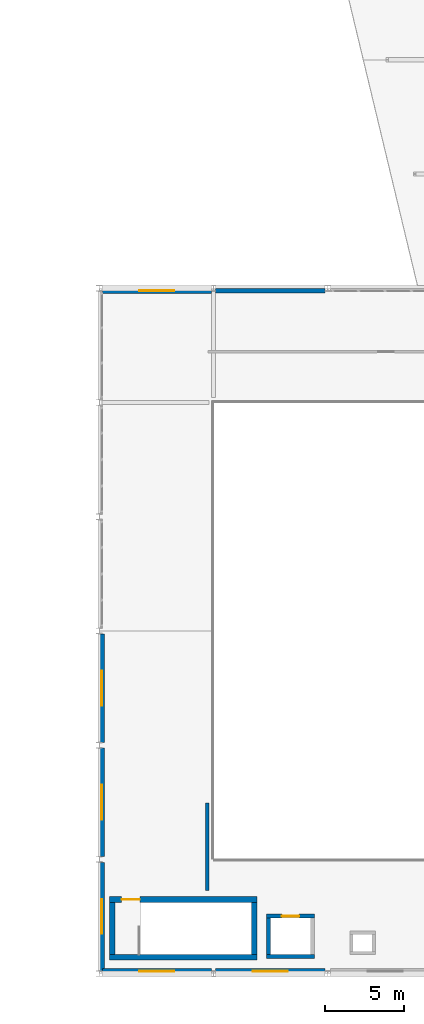
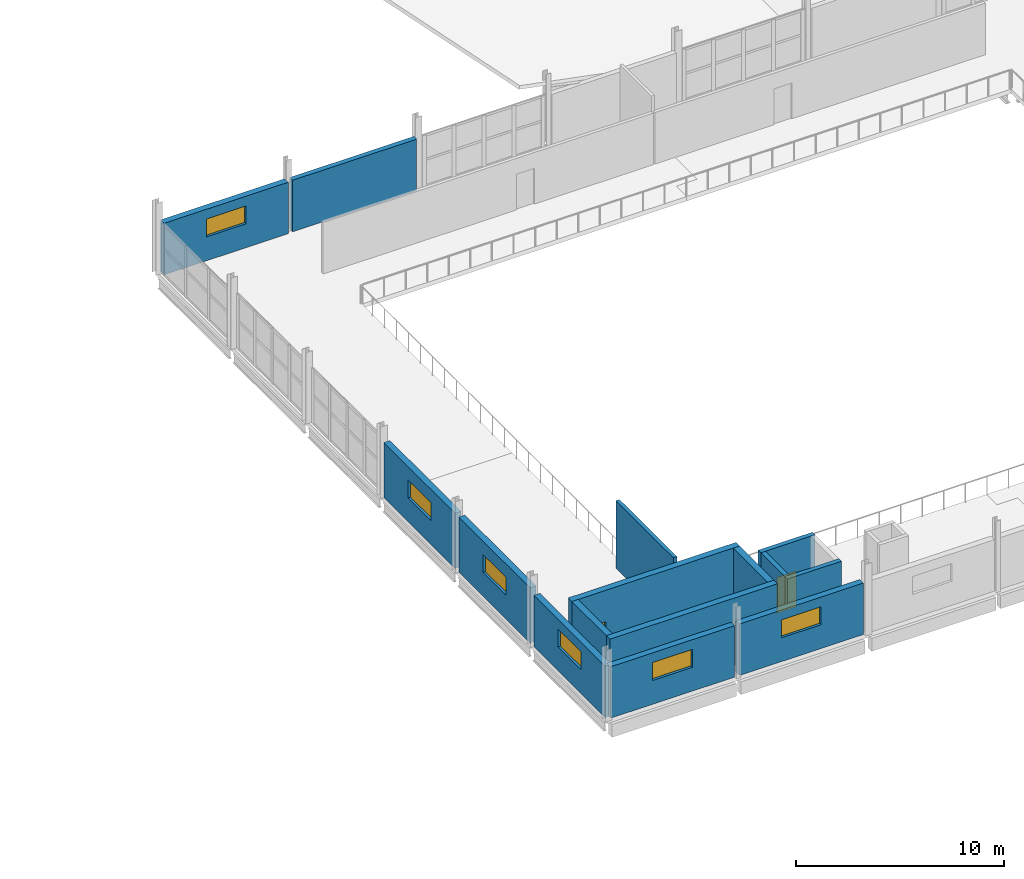
# One storey, part 70 of 94: 15 walls, 6 windows, 2 doors, 8 openings.
"""IFC4 building model written with IfcOpenShell, lengths in metres."""

from ifc_helpers import new_model, si_unit, direction, frame, frame_2d, origin, place, context, subcontext, project, spatial, rectangle, extrude, material, layer, layer_set, type_object, element, fill, save


model = new_model("IFC4")

# Units and contexts
model_context = context("Model", 3, precision=1e-05, world=origin(), true_north=direction((0.0, 1.0)))
body_context = subcontext(model_context, "Body", "Model", "MODEL_VIEW")
ifc_project = project(units=[si_unit("LENGTHUNIT", "METRE"), si_unit("AREAUNIT", "SQUARE_METRE"), si_unit("VOLUMEUNIT", "CUBIC_METRE"), si_unit("PLANEANGLEUNIT", "RADIAN"), si_unit("MASSUNIT", "GRAM", prefix="KILO")], contexts=[model_context])

# Site, building, storey
site_placement = place(None, origin())
site = spatial("IfcSite", under=ifc_project, at=site_placement, CompositionType="ELEMENT")
building_placement = place(site_placement, origin())
building = spatial("IfcBuilding", under=site, at=building_placement, Name="Kalmorath City Hall", CompositionType="ELEMENT")
storey_placement = place(building_placement, frame((0.0, 0.0, 14.699951171875)))
storey = spatial("IfcBuildingStorey", under=building, at=storey_placement, Name="L03", CompositionType="ELEMENT", Elevation=14.699951171875)

# Wall, opening, window
ifc_material_1 = material(Name="Precast concrete C40/50", Category="concrete")
ifc_layer_1 = layer(ifc_material_1, 0.340087890625)
ifc_layer_set_1 = layer_set([ifc_layer_1], Name="Precast concrete C40/50")
wall_type_1 = type_object("IfcWallType", Name="Chamber acoustic precast wall 340", PredefinedType="SOLIDWALL", material=ifc_layer_set_1)
wall_1_placement = place(storey_placement, frame((129.41455078125, 0.159912109375, 0.0), z_axis=(0.0, 0.0, 1.0), x_axis=(-1.0, 0.0, 0.0)))
wall_1 = element("IfcWall", 1, at=wall_1_placement, inside=storey, type_object=wall_type_1, Name="L03 chamber acoustic wall #705", PredefinedType="SOLIDWALL", context=body_context, shape_type="SweptSolid", body=[
    extrude(rectangle(XDim=6.885498046875, YDim=0.340087890625, at=frame_2d((3.44287109375, 0.0))), origin(), (0.0, 0.0, 1.0), 3.02197265625),
])
opening_1_placement = place(wall_1_placement, frame((2.3427734375, 0.0, 1.39990234375)))
opening_1 = element("IfcOpeningElement", 2, at=opening_1_placement, cuts=wall_1, Name="Opening WN12", PredefinedType="OPENING", context=body_context, shape_type="SweptSolid", body=[
    extrude(rectangle(XDim=2.199951171875, YDim=1.050048828125, at=frame_2d((1.10009765625, 0.52490234375))), frame((0.0, 0.179931640625, 0.0), z_axis=(0.0, -1.0, 0.0), x_axis=(1.0, 0.0, 0.0)), (0.0, 0.0, 1.0), 0.360107421875),
])
ifc_material_2 = material(Name="Acoustic laminated glass", Category="glass")
window_type = type_object("IfcWindowType", Name="Chamber clerestory acoustic window 2200x1050", PartitioningType="SINGLE_PANEL", PredefinedType="WINDOW", material=ifc_material_2)
window_1_placement = place(opening_1_placement, origin())
window_1 = element("IfcWindow", 3, at=window_1_placement, inside=storey, type_object=window_type, Name="L03 window WN12-372", OverallHeight=1.050048828125, OverallWidth=2.199951171875, PartitioningType="SINGLE_PANEL", PredefinedType="WINDOW", context=body_context, shape_type="SweptSolid", body=[
    extrude(rectangle(XDim=2.199951171875, YDim=1.050048828125, at=frame_2d((1.10009765625, 0.52490234375))), frame((0.0, 0.030029296875, 0.0), z_axis=(0.0, -1.0, 0.0), x_axis=(1.0, 0.0, 0.0)), (0.0, 0.0, 1.0), 0.06005859375),
])
fill(opening_1, window_1)

wall_2_placement = place(storey_placement, frame((122.27099609375, 0.159912109375, 0.0), z_axis=(0.0, 0.0, 1.0), x_axis=(-1.0, 0.0, 0.0)))
wall_2 = element("IfcWall", 4, at=wall_2_placement, inside=storey, type_object=wall_type_1, Name="L03 chamber acoustic wall #706", PredefinedType="SOLIDWALL", context=body_context, shape_type="SweptSolid", body=[
    extrude(rectangle(XDim=6.885498046875, YDim=0.340087890625, at=frame_2d((3.44287109375, 0.0))), origin(), (0.0, 0.0, 1.0), 3.01806640625),
])
opening_2_placement = place(wall_2_placement, frame((2.3427734375, 0.0, 1.39990234375)))
opening_2 = element("IfcOpeningElement", 5, at=opening_2_placement, cuts=wall_2, Name="Opening WN12", PredefinedType="OPENING", context=body_context, shape_type="SweptSolid", body=[
    extrude(rectangle(XDim=2.199951171875, YDim=1.050048828125, at=frame_2d((1.10009765625, 0.52490234375))), frame((0.0, 0.179931640625, 0.0), z_axis=(0.0, -1.0, 0.0), x_axis=(1.0, 0.0, 0.0)), (0.0, 0.0, 1.0), 0.360107421875),
])
window_2_placement = place(opening_2_placement, origin())
window_2 = element("IfcWindow", 6, at=window_2_placement, inside=storey, type_object=window_type, Name="L03 window WN12-373", OverallHeight=1.050048828125, OverallWidth=2.199951171875, PartitioningType="SINGLE_PANEL", PredefinedType="WINDOW", context=body_context, shape_type="SweptSolid", body=[
    extrude(rectangle(XDim=2.199951171875, YDim=1.050048828125, at=frame_2d((1.10009765625, 0.52490234375))), frame((0.0, 0.030029296875, 0.0), z_axis=(0.0, -1.0, 0.0), x_axis=(1.0, 0.0, 0.0)), (0.0, 0.0, 1.0), 0.06005859375),
])
fill(opening_2, window_2)

wall_3_placement = place(storey_placement, frame((115.360107421875, 0.178955078125, 0.0), z_axis=(0.0, 0.0, 1.0), x_axis=(0.0, 1.0, 0.0)))
wall_3 = element("IfcWall", 7, at=wall_3_placement, inside=storey, type_object=wall_type_1, Name="L03 chamber acoustic wall #707", PredefinedType="SOLIDWALL", context=body_context, shape_type="SweptSolid", body=[
    extrude(rectangle(XDim=6.842041015625, YDim=0.340087890625, at=frame_2d((3.4208984375, 0.0))), origin(), (0.0, 0.0, 1.0), 3.01806640625),
])
opening_3_placement = place(wall_3_placement, frame((2.321044921875, 0.0, 1.39990234375)))
opening_3 = element("IfcOpeningElement", 8, at=opening_3_placement, cuts=wall_3, Name="Opening WN12", PredefinedType="OPENING", context=body_context, shape_type="SweptSolid", body=[
    extrude(rectangle(XDim=2.199951171875, YDim=1.050048828125, at=frame_2d((1.10009765625, 0.52490234375))), frame((0.0, 0.179931640625, 0.0), z_axis=(0.0, -1.0, 0.0), x_axis=(1.0, 0.0, 0.0)), (0.0, 0.0, 1.0), 0.360107421875),
])
window_3_placement = place(opening_3_placement, origin())
window_3 = element("IfcWindow", 9, at=window_3_placement, inside=storey, type_object=window_type, Name="L03 window WN12-374", OverallHeight=1.050048828125, OverallWidth=2.199951171875, PartitioningType="SINGLE_PANEL", PredefinedType="WINDOW", context=body_context, shape_type="SweptSolid", body=[
    extrude(rectangle(XDim=2.199951171875, YDim=1.050048828125, at=frame_2d((1.10009765625, 0.52490234375))), frame((0.0, 0.030029296875, 0.0), z_axis=(0.0, -1.0, 0.0), x_axis=(1.0, 0.0, 0.0)), (0.0, 0.0, 1.0), 0.06005859375),
])
fill(opening_3, window_3)

wall_4_placement = place(storey_placement, frame((115.360107421875, 7.37890625, 0.0), z_axis=(0.0, 0.0, 1.0), x_axis=(0.0, 1.0, 0.0)))
wall_4 = element("IfcWall", 10, at=wall_4_placement, inside=storey, type_object=wall_type_1, Name="L03 chamber acoustic wall #708", PredefinedType="SOLIDWALL", context=body_context, shape_type="SweptSolid", body=[
    extrude(rectangle(XDim=6.842041015625, YDim=0.340087890625, at=frame_2d((3.4208984375, 0.0))), origin(), (0.0, 0.0, 1.0), 3.235107421875),
])
opening_4_placement = place(wall_4_placement, frame((2.321044921875, 0.0, 1.39990234375)))
opening_4 = element("IfcOpeningElement", 11, at=opening_4_placement, cuts=wall_4, Name="Opening WN12", PredefinedType="OPENING", context=body_context, shape_type="SweptSolid", body=[
    extrude(rectangle(XDim=2.199951171875, YDim=1.050048828125, at=frame_2d((1.10009765625, 0.52490234375))), frame((0.0, 0.179931640625, 0.0), z_axis=(0.0, -1.0, 0.0), x_axis=(1.0, 0.0, 0.0)), (0.0, 0.0, 1.0), 0.360107421875),
])
window_4_placement = place(opening_4_placement, origin())
window_4 = element("IfcWindow", 12, at=window_4_placement, inside=storey, type_object=window_type, Name="L03 window WN12-375", OverallHeight=1.050048828125, OverallWidth=2.199951171875, PartitioningType="SINGLE_PANEL", PredefinedType="WINDOW", context=body_context, shape_type="SweptSolid", body=[
    extrude(rectangle(XDim=2.199951171875, YDim=1.050048828125, at=frame_2d((1.10009765625, 0.52490234375))), frame((0.0, 0.030029296875, 0.0), z_axis=(0.0, -1.0, 0.0), x_axis=(1.0, 0.0, 0.0)), (0.0, 0.0, 1.0), 0.06005859375),
])
fill(opening_4, window_4)

wall_5_placement = place(storey_placement, frame((115.360107421875, 14.5791015625, 0.0), z_axis=(0.0, 0.0, 1.0), x_axis=(0.0, 1.0, 0.0)))
wall_5 = element("IfcWall", 13, at=wall_5_placement, inside=storey, type_object=wall_type_1, Name="L03 chamber acoustic wall #709", PredefinedType="SOLIDWALL", context=body_context, shape_type="SweptSolid", body=[
    extrude(rectangle(XDim=6.841796875, YDim=0.340087890625, at=frame_2d((3.4208984375, 0.0))), origin(), (0.0, 0.0, 1.0), 3.235107421875),
])
opening_5_placement = place(wall_5_placement, frame((2.321044921875, 0.0, 1.39990234375)))
opening_5 = element("IfcOpeningElement", 14, at=opening_5_placement, cuts=wall_5, Name="Opening WN12", PredefinedType="OPENING", context=body_context, shape_type="SweptSolid", body=[
    extrude(rectangle(XDim=2.199951171875, YDim=1.050048828125, at=frame_2d((1.10009765625, 0.52490234375))), frame((0.0, 0.179931640625, 0.0), z_axis=(0.0, -1.0, 0.0), x_axis=(1.0, 0.0, 0.0)), (0.0, 0.0, 1.0), 0.360107421875),
])
window_5_placement = place(opening_5_placement, origin())
window_5 = element("IfcWindow", 15, at=window_5_placement, inside=storey, type_object=window_type, Name="L03 window WN12-376", OverallHeight=1.050048828125, OverallWidth=2.199951171875, PartitioningType="SINGLE_PANEL", PredefinedType="WINDOW", context=body_context, shape_type="SweptSolid", body=[
    extrude(rectangle(XDim=2.199951171875, YDim=1.050048828125, at=frame_2d((1.10009765625, 0.52490234375))), frame((0.0, 0.030029296875, 0.0), z_axis=(0.0, -1.0, 0.0), x_axis=(1.0, 0.0, 0.0)), (0.0, 0.0, 1.0), 0.06005859375),
])
fill(opening_5, window_5)

wall_6_placement = place(storey_placement, frame((115.385498046875, 43.0400390625, 0.0), z_axis=(0.0, 0.0, 1.0), x_axis=(1.0, 0.0, 0.0)))
wall_6 = element("IfcWall", 16, at=wall_6_placement, inside=storey, type_object=wall_type_1, Name="L03 chamber acoustic wall #710", PredefinedType="SOLIDWALL", context=body_context, shape_type="SweptSolid", body=[
    extrude(rectangle(XDim=6.885498046875, YDim=0.340087890625, at=frame_2d((3.44287109375, 0.0))), origin(), (0.0, 0.0, 1.0), 3.01806640625),
])
opening_6_placement = place(wall_6_placement, frame((2.3427734375, 0.0, 1.39990234375)))
opening_6 = element("IfcOpeningElement", 17, at=opening_6_placement, cuts=wall_6, Name="Opening WN12", PredefinedType="OPENING", context=body_context, shape_type="SweptSolid", body=[
    extrude(rectangle(XDim=2.199951171875, YDim=1.050048828125, at=frame_2d((1.10009765625, 0.52490234375))), frame((0.0, 0.179931640625, 0.0), z_axis=(0.0, -1.0, 0.0), x_axis=(1.0, 0.0, 0.0)), (0.0, 0.0, 1.0), 0.360107421875),
])
window_6_placement = place(opening_6_placement, origin())
window_6 = element("IfcWindow", 18, at=window_6_placement, inside=storey, type_object=window_type, Name="L03 window WN12-377", OverallHeight=1.050048828125, OverallWidth=2.199951171875, PartitioningType="SINGLE_PANEL", PredefinedType="WINDOW", context=body_context, shape_type="SweptSolid", body=[
    extrude(rectangle(XDim=2.199951171875, YDim=1.050048828125, at=frame_2d((1.10009765625, 0.52490234375))), frame((0.0, 0.030029296875, 0.0), z_axis=(0.0, -1.0, 0.0), x_axis=(1.0, 0.0, 0.0)), (0.0, 0.0, 1.0), 0.06005859375),
])
fill(opening_6, window_6)

# Wall
ifc_material_3 = material(Name="Concrete C50/60", Category="concrete")
ifc_layer_2 = layer(ifc_material_3, 0.35009765625)
ifc_layer_set_2 = layer_set([ifc_layer_2], Name="Concrete C50/60")
wall_type_2 = type_object("IfcWallType", Name="Concrete core shear wall 350", PredefinedType="SHEAR", material=ifc_layer_set_2)
wall_7_placement = place(storey_placement, frame((115.85009765625, 1.02490234375, 0.0), z_axis=(0.0, 0.0, 1.0), x_axis=(1.0, 0.0, 0.0)))
element("IfcWall", 19, at=wall_7_placement, inside=storey, type_object=wall_type_2, Name="L03 C5 stair core shear wall S", PredefinedType="SHEAR", context=body_context, shape_type="SweptSolid", body=[
    extrude(rectangle(XDim=9.2998046875, YDim=0.35009765625, at=frame_2d((4.64990234375, 0.0))), origin(), (0.0, 0.0, 1.0), 3.949951171875),
])

# Wall, opening, door
wall_8_placement = place(storey_placement, frame((125.14990234375, 4.675048828125, 0.0), z_axis=(0.0, 0.0, 1.0), x_axis=(-1.0, 0.0, 0.0)))
wall_8 = element("IfcWall", 20, at=wall_8_placement, inside=storey, type_object=wall_type_2, Name="L03 C5 stair core shear wall N", PredefinedType="SHEAR", context=body_context, shape_type="SweptSolid", body=[
    extrude(rectangle(XDim=9.2998046875, YDim=0.35009765625, at=frame_2d((4.64990234375, 0.0))), origin(), (0.0, 0.0, 1.0), 3.949951171875),
])
opening_7_placement = place(wall_8_placement, frame((7.39990234375, 0.0, 0.0)))
opening_7 = element("IfcOpeningElement", 21, at=opening_7_placement, cuts=wall_8, Name="Opening D-L03-093", PredefinedType="OPENING", context=body_context, shape_type="SweptSolid", body=[
    extrude(rectangle(XDim=1.14990234375, YDim=2.10009765625, at=frame_2d((0.574951171875, 1.050048828125))), frame((0.0, 0.18505859375, 0.0), z_axis=(0.0, -1.0, 0.0), x_axis=(1.0, 0.0, 0.0)), (0.0, 0.0, 1.0), 0.3701171875),
])
ifc_material_4 = material(Name="Galvanised steel fire door", Category="steel")
door_type_1 = type_object("IfcDoorType", Name="Stair enclosure 90-min fire door 1150x2100", OperationType="NOTDEFINED", PredefinedType="DOOR", material=ifc_material_4)
door_1_placement = place(opening_7_placement, frame((1.14990234375, 0.0, 0.0), z_axis=(0.0, 0.0, 1.0), x_axis=(-1.0, 0.0, 0.0)))
door_1 = element("IfcDoor", 22, at=door_1_placement, inside=storey, type_object=door_type_1, Name="L03 door D-L03-093", OperationType="SINGLE_SWING_LEFT", OverallHeight=2.10009765625, OverallWidth=1.14990234375, PredefinedType="DOOR", context=body_context, shape_type="SweptSolid", body=[
    extrude(rectangle(XDim=1.14990234375, YDim=2.10009765625, at=frame_2d((0.574951171875, 1.050048828125))), frame((0.0, 0.02490234375, 0.0), z_axis=(0.0, -1.0, 0.0), x_axis=(1.0, 0.0, 0.0)), (0.0, 0.0, 1.0), 0.050048828125),
])
fill(opening_7, door_1)

# Walls
for number, where, z_axis, x_axis, name in (
    (23, (116.02490234375, 4.5, 0.0), (0.0, 0.0, 1.0), (0.0, -1.0, 0.0), "L03 C5 stair core shear wall W"),
    (24, (124.97509765625, 1.199951171875, 0.0), (0.0, 0.0, 1.0), (0.0, 1.0, 0.0), "L03 C5 stair core shear wall E"),
):
    element("IfcWall", number, at=place(storey_placement, frame(where, z_axis=z_axis, x_axis=x_axis)), inside=storey, type_object=wall_type_2, Name=name, PredefinedType="SHEAR", context=body_context, shape_type="SweptSolid", body=[
        extrude(rectangle(XDim=3.300048828125, YDim=0.35009765625, at=frame_2d((1.64990234375, 0.0))), origin(), (0.0, 0.0, 1.0), 3.949951171875),
    ])
ifc_material_5 = material(Name="Concrete C50/60", Category="concrete")
ifc_layer_3 = layer(ifc_material_5, 0.25)
ifc_layer_set_3 = layer_set([ifc_layer_3], Name="Concrete C50/60")
wall_type_3 = type_object("IfcWallType", Name="Concrete lift shaft wall 250", PredefinedType="SHEAR", material=ifc_layer_set_3)
wall_9_placement = place(storey_placement, frame((125.75, 1.074951171875, 0.0), z_axis=(0.0, 0.0, 1.0), x_axis=(1.0, 0.0, 0.0)))
element("IfcWall", 25, at=wall_9_placement, inside=storey, type_object=wall_type_3, Name="L03 PL5 lift shaft wall -y", PredefinedType="SHEAR", context=body_context, shape_type="SweptSolid", body=[
    extrude(rectangle(XDim=3.0, YDim=0.25, at=frame_2d((1.5, 0.0))), origin(), (0.0, 0.0, 1.0), 3.949951171875),
])

# Wall, opening, door
wall_10_placement = place(storey_placement, frame((128.75, 3.625, 0.0), z_axis=(0.0, 0.0, 1.0), x_axis=(-1.0, 0.0, 0.0)))
wall_10 = element("IfcWall", 26, at=wall_10_placement, inside=storey, type_object=wall_type_3, Name="L03 PL5 lift shaft wall +y", PredefinedType="SHEAR", context=body_context, shape_type="SweptSolid", body=[
    extrude(rectangle(XDim=3.0, YDim=0.25, at=frame_2d((1.5, 0.0))), origin(), (0.0, 0.0, 1.0), 3.949951171875),
])
opening_8_placement = place(wall_10_placement, frame((0.949951171875, 0.0, 0.0)))
opening_8 = element("IfcOpeningElement", 27, at=opening_8_placement, cuts=wall_10, Name="Opening LD-097", PredefinedType="OPENING", context=body_context, shape_type="SweptSolid", body=[
    extrude(rectangle(XDim=1.10009765625, YDim=2.10009765625, at=frame_2d((0.550048828125, 1.050048828125))), frame((0.0, 0.135009765625, 0.0), z_axis=(0.0, -1.0, 0.0), x_axis=(1.0, 0.0, 0.0)), (0.0, 0.0, 1.0), 0.27001953125),
])
ifc_material_6 = material(Name="Stainless steel sliding landing door", Category="steel")
door_type_2 = type_object("IfcDoorType", Name="Passenger lift sliding landing door 1100x2100", OperationType="SLIDING_TO_LEFT", PredefinedType="DOOR", material=ifc_material_6)
door_2_placement = place(opening_8_placement, origin())
door_2 = element("IfcDoor", 28, at=door_2_placement, inside=storey, type_object=door_type_2, Name="L03 door LD-097", OperationType="SLIDING_TO_LEFT", OverallHeight=2.10009765625, OverallWidth=1.10009765625, PredefinedType="DOOR", context=body_context, shape_type="SweptSolid", body=[
    extrude(rectangle(XDim=1.10009765625, YDim=2.10009765625, at=frame_2d((0.550048828125, 1.050048828125))), frame((0.0, 0.02490234375, 0.0), z_axis=(0.0, -1.0, 0.0), x_axis=(1.0, 0.0, 0.0)), (0.0, 0.0, 1.0), 0.050048828125),
])
fill(opening_8, door_2)

# Walls
wall_11_placement = place(storey_placement, frame((125.875, 3.5, 0.0), z_axis=(0.0, 0.0, 1.0), x_axis=(0.0, -1.0, 0.0)))
element("IfcWall", 29, at=wall_11_placement, inside=storey, type_object=wall_type_3, Name="L03 PL5 lift shaft wall -x", PredefinedType="SHEAR", context=body_context, shape_type="SweptSolid", body=[
    extrude(rectangle(XDim=2.300048828125, YDim=0.25, at=frame_2d((1.14990234375, 0.0))), origin(), (0.0, 0.0, 1.0), 3.949951171875),
])
ifc_material_7 = material(Name="Precast concrete C40/50", Category="concrete")
ifc_layer_4 = layer(ifc_material_7, 0.27001953125)
ifc_layer_set_4 = layer_set([ifc_layer_4], Name="Precast concrete C40/50")
wall_type_4 = type_object("IfcWallType", Name="Library splayed facade wall 270", PredefinedType="SOLIDWALL", material=ifc_layer_set_4)
wall_12_placement = place(storey_placement, frame((122.529052734375, 43.0400390625, 0.0), z_axis=(0.0, 0.0, 1.0), x_axis=(1.0, 0.0, 0.0)))
element("IfcWall", 30, at=wall_12_placement, inside=storey, type_object=wall_type_4, Name="L03 library wall #711", PredefinedType="SOLIDWALL", context=body_context, shape_type="SweptSolid", body=[
    extrude(rectangle(XDim=6.885498046875, YDim=0.27001953125, at=frame_2d((3.44287109375, 0.0))), origin(), (0.0, 0.0, 1.0), 3.02197265625),
])
ifc_material_8 = material(Name="Gypsum fire-rated shaftliner partition")
ifc_layer_5 = layer(ifc_material_8, 0.199951171875)
ifc_layer_set_5 = layer_set([ifc_layer_5], Name="Gypsum fire-rated shaftliner partition")
wall_type_5 = type_object("IfcWallType", Name="Two-hour fire barrier partition 200", PredefinedType="PARTITIONING", material=ifc_layer_set_5)
wall_13_placement = place(storey_placement, frame((122.0, 5.239990234375, 0.0), z_axis=(0.0, 0.0, 1.0), x_axis=(0.0, 1.0, 0.0)))
element("IfcWall", 31, at=wall_13_placement, inside=storey, type_object=wall_type_5, Name="L03 interior partition PW1 #150", PredefinedType="PARTITIONING", context=body_context, shape_type="SweptSolid", body=[
    extrude(rectangle(XDim=5.52001953125, YDim=0.199951171875, at=frame_2d((2.760009765625, 0.0))), origin(), (0.0, 0.0, 1.0), 3.949951171875),
])

save(model, "model.ifc")
